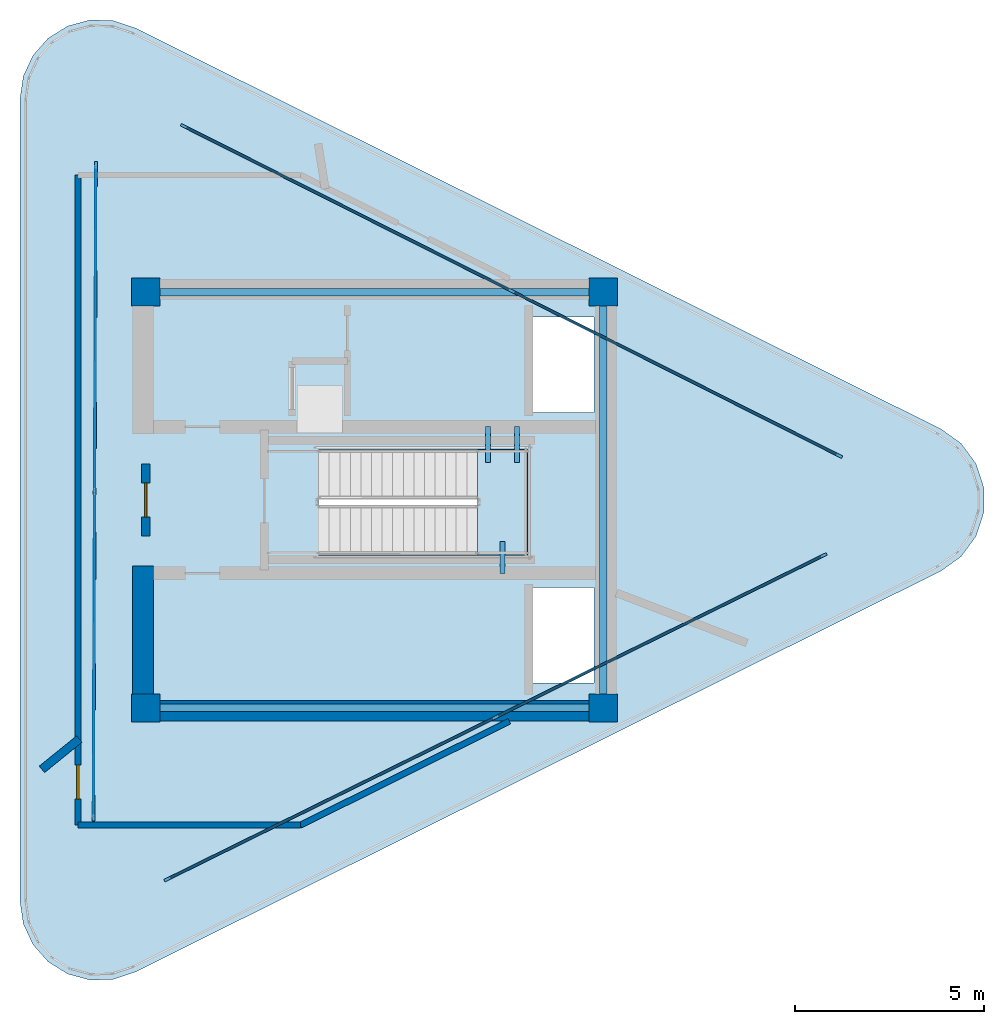
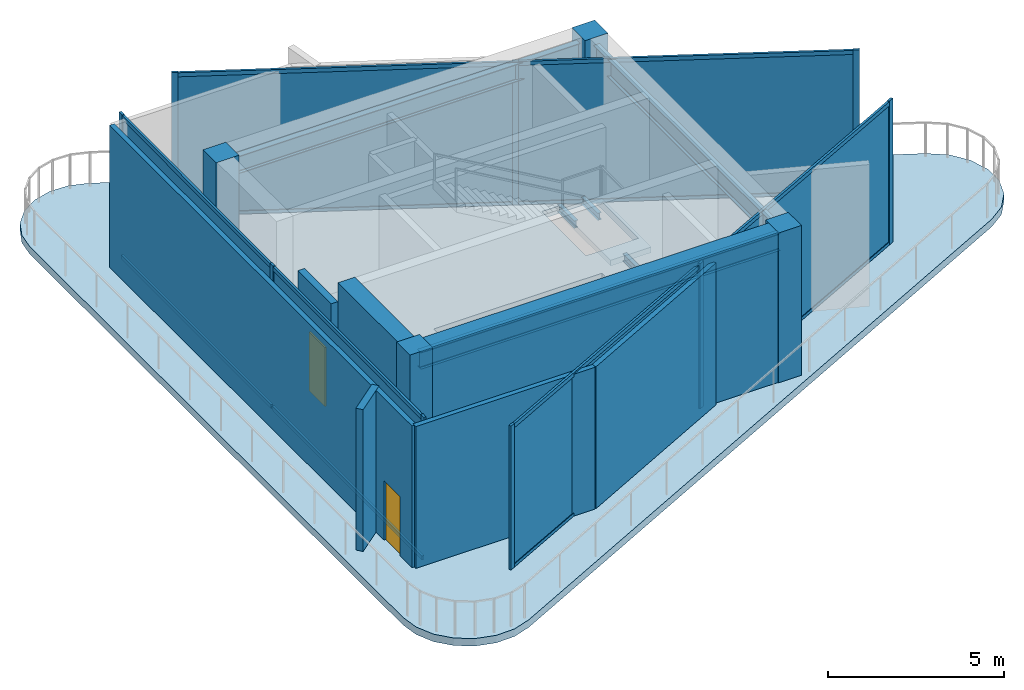
# One storey, part 1 of 5: 21 members, 7 walls, 6 beams, 6 plates, 4 columns, 2 doors, 2 slabs, 2 openings, 4 elements without a shape of their own.
"""IFC4 building model written with IfcOpenShell, lengths in metres."""

from ifc_helpers import new_model, si_unit, direction, frame, frame_2d, origin, origin_2d, place, context, subcontext, project, spatial, polyline, rectangle, i_section, outline, extrude, source, transform, mapped, material, layer, layer_set, material_profile, profile_set, type_object, element, fill, aggregate, save


model = new_model("IFC4")

# Units and contexts
model_context = context("Model", 3, precision=1e-05, world=origin(), true_north=direction((0.0, 1.0)))
body_context = subcontext(model_context, "Body", "Model", "MODEL_VIEW")
ifc_project = project(units=[si_unit("LENGTHUNIT", "METRE"), si_unit("AREAUNIT", "SQUARE_METRE"), si_unit("VOLUMEUNIT", "CUBIC_METRE"), si_unit("PLANEANGLEUNIT", "RADIAN"), si_unit("MASSUNIT", "GRAM", prefix="KILO")], contexts=[model_context])

# Site, building, storey
site_placement = place(None, origin())
site = spatial("IfcSite", under=ifc_project, at=site_placement, CompositionType="ELEMENT")
building_placement = place(site_placement, origin())
building = spatial("IfcBuilding", under=site, at=building_placement, Name="Yunling Apex Tower", CompositionType="ELEMENT")
storey_placement = place(building_placement, frame((0.0, 0.0, 328.25)))
storey = spatial("IfcBuildingStorey", under=building, at=storey_placement, Name="C03", CompositionType="ELEMENT", Elevation=328.25)

# Columns
ifc_material_1 = material(Name="Concrete C50", Category="concrete")
ifc_material_profile_1 = material_profile(ifc_material_1, rectangle(XDim=0.75, YDim=0.75, at=origin_2d()))
ifc_profile_set_1 = profile_set([ifc_material_profile_1], Name="Concrete C50")
column_type = type_object("IfcColumnType", Name="PC-SRC-4", PredefinedType="COLUMN", material=ifc_profile_set_1)
shared_shape_1 = source(origin(), body_context, "Body", "SweptSolid", [
    extrude(rectangle(XDim=0.75, YDim=0.75, at=origin_2d()), origin(), (0.0, 0.0, 1.0), 5.199951171875),
])
for number, where, z_axis, x_axis, name in (
    (1, (-6.050048828125, -5.5, 0.0), (0.0, 0.0, 1.0), (1.0, 0.0, 0.0), "C03 Core Spine Column CC-SW"),
    (2, (6.050048828125, -5.5, 0.0), (0.0, 0.0, 1.0), (1.0, 0.0, 0.0), "C03 Core Spine Column CC-SE"),
    (3, (6.050048828125, 5.5, 0.0), (0.0, 0.0, 1.0), (1.0, 0.0, 0.0), "C03 Core Spine Column CC-NE"),
    (4, (-6.050048828125, 5.5, 0.0), (0.0, 0.0, 1.0), (1.0, 0.0, 0.0), "C03 Core Spine Column CC-NW"),
):
    element("IfcColumn", number, at=place(storey_placement, frame(where, z_axis=z_axis, x_axis=x_axis)), inside=storey, type_object=column_type, Name=name, PredefinedType="COLUMN", context=body_context, shape_type="MappedRepresentation", body=[
        mapped(shared_shape_1, transform((0.0, 0.0, 0.0), scale=1.0)),
    ])

# Beams
ifc_material_2 = material(Name="Steel Q355B", Category="steel")
ifc_material_profile_2 = material_profile(ifc_material_2, i_section(OverallWidth=0.199951171875, OverallDepth=0.60009765625, WebThickness=0.010986328125, FlangeThickness=0.01708984375, FilletRadius=0.02197265625, at=origin_2d()))
ifc_profile_set_2 = profile_set([ifc_material_profile_2], Name="Steel Q355B")
beam_type_1 = type_object("IfcBeamType", Name="BG-PRI-5", PredefinedType="USERDEFINED", material=ifc_profile_set_2)
shared_shape_2 = source(origin(), body_context, "Body", "SweptSolid", [
    extrude(i_section(OverallWidth=0.199951171875, OverallDepth=0.60009765625, WebThickness=0.010986328125, FlangeThickness=0.01708984375, FilletRadius=0.02197265625, at=origin_2d()), origin(), (0.0, 0.0, 1.0), 11.7998046875),
])
for number, where, z_axis, x_axis, name in (
    (5, (-5.89990234375, -5.5, 4.639892578125), (1.0, 0.0, 0.0), (0.0, 1.0, 0.0), "C03 Core Ring Tie Beam 1"),
    (6, (5.89990234375, 5.5, 4.639892578125), (-1.0, 0.0, 0.0), (0.0, -1.0, 0.0), "C03 Core Ring Tie Beam 3"),
):
    element("IfcBeam", number, at=place(storey_placement, frame(where, z_axis=z_axis, x_axis=x_axis)), inside=storey, type_object=beam_type_1, Name=name, ObjectType="GIRDER", PredefinedType="USERDEFINED", context=body_context, shape_type="MappedRepresentation", body=[
        mapped(shared_shape_2, transform((0.0, 0.0, 0.0), scale=1.0)),
    ])
shared_shape_3 = source(origin(), body_context, "Body", "SweptSolid", [
    extrude(i_section(OverallWidth=0.199951171875, OverallDepth=0.60009765625, WebThickness=0.010986328125, FlangeThickness=0.01708984375, FilletRadius=0.02197265625, at=origin_2d()), origin(), (0.0, 0.0, 1.0), 10.7001953125),
])
beam_1_placement = place(storey_placement, frame((6.050048828125, -5.35009765625, 4.639892578125), z_axis=(0.0, 1.0, 0.0), x_axis=(-1.0, 0.0, 0.0)))
element("IfcBeam", 7, at=beam_1_placement, inside=storey, type_object=beam_type_1, Name="C03 Core Ring Tie Beam 2", ObjectType="GIRDER", PredefinedType="USERDEFINED", context=body_context, shape_type="MappedRepresentation", body=[
    mapped(shared_shape_3, transform((0.0, 0.0, 0.0), scale=1.0)),
])
ifc_material_profile_3 = material_profile(ifc_material_2, i_section(OverallWidth=0.125, OverallDepth=0.25, WebThickness=0.006103515625, FlangeThickness=0.009033203125, FilletRadius=0.011962890625, at=origin_2d()))
ifc_profile_set_3 = profile_set([ifc_material_profile_3], Name="Steel Q355B")
beam_type_2 = type_object("IfcBeamType", Name="BL-LNT-1", PredefinedType="LINTEL", material=ifc_profile_set_3)
shared_shape_4 = source(origin(), body_context, "Body", "SweptSolid", [
    extrude(i_section(OverallWidth=0.125, OverallDepth=0.25, WebThickness=0.006103515625, FlangeThickness=0.009033203125, FilletRadius=0.011962890625, at=origin_2d()), origin(), (0.0, 0.0, 1.0), 0.949951171875),
])
for number, where, z_axis, x_axis, name in (
    (8, (3.0, 1.93994140625, 2.280029296875), (0.0, -1.0, 0.0), (1.0, 0.0, 0.0), "C03 ST-C1 Landing Bearing Corbel 1-1"),
    (9, (3.77001953125, 1.93994140625, 2.280029296875), (0.0, -1.0, 0.0), (1.0, 0.0, 0.0), "C03 ST-C1 Landing Bearing Corbel 1-2"),
):
    element("IfcBeam", number, at=place(storey_placement, frame(where, z_axis=z_axis, x_axis=x_axis)), inside=storey, type_object=beam_type_2, Name=name, PredefinedType="LINTEL", context=body_context, shape_type="MappedRepresentation", body=[
        mapped(shared_shape_4, transform((0.0, 0.0, 0.0), scale=1.0)),
    ])
shared_shape_5 = source(origin(), body_context, "Body", "SweptSolid", [
    extrude(i_section(OverallWidth=0.125, OverallDepth=0.25, WebThickness=0.006103515625, FlangeThickness=0.009033203125, FilletRadius=0.011962890625, at=origin_2d()), origin(), (0.0, 0.0, 1.0), 0.83984375),
])
beam_2_placement = place(storey_placement, frame((3.385009765625, -1.93994140625, 2.280029296875), z_axis=(0.0, 1.0, 0.0), x_axis=(-1.0, 0.0, 0.0)))
element("IfcBeam", 10, at=beam_2_placement, inside=storey, type_object=beam_type_2, Name="C03 ST-C1 Landing Bearing Corbel 1-3", PredefinedType="LINTEL", context=body_context, shape_type="MappedRepresentation", body=[
    mapped(shared_shape_5, transform((0.0, 0.0, 0.0), scale=1.0)),
])

# Curtain wall, members
ifc_material_3 = material(Name="Bronze anodised aluminium", Category="aluminium")
ifc_layer_1 = layer(ifc_material_3, 0.179931640625)
ifc_layer_set_1 = layer_set([ifc_layer_1], Name="Bronze anodised aluminium")
curtain_wall_type = type_object("IfcCurtainWallType", Name="CW-SYS-6", PredefinedType="NOTDEFINED", material=ifc_layer_set_1)
curtain_wall_1_placement = place(storey_placement, origin())
curtain_wall_1 = element("IfcCurtainWall", 11, at=curtain_wall_1_placement, inside=storey, type_object=curtain_wall_type, Name="CW-C03-01", PredefinedType="NOTDEFINED")
ifc_material_profile_4 = material_profile(ifc_material_3, rectangle(XDim=0.074951171875, YDim=0.179931640625, at=origin_2d()))
ifc_profile_set_4 = profile_set([ifc_material_profile_4], Name="Bronze anodised aluminium")
member_type_1 = type_object("IfcMemberType", Name="CW-MUL-6", PredefinedType="MULLION", material=ifc_profile_set_4)
shared_shape_6 = source(origin(), body_context, "Body", "SweptSolid", [
    extrude(rectangle(XDim=0.074951171875, YDim=0.179931640625, at=origin_2d()), origin(), (0.0, 0.0, 1.0), 5.0400390625),
])
member_1_placement = place(storey_placement, frame((-7.434326171875, -8.402099609375, -0.050048828125), z_axis=(0.0, 0.0, 1.0), x_axis=(-0.999992753968, 0.003806837467, 0.0)))
member_1 = element("IfcMember", 12, at=member_1_placement, type_object=member_type_1, Name="CW-SYS-6 mullion 1", PredefinedType="MULLION", context=body_context, shape_type="MappedRepresentation", body=[
    mapped(shared_shape_6, transform((0.0, 0.0, 0.0), scale=1.0)),
])
member_2_placement = place(storey_placement, frame((-7.401611328125, 0.228759765625, -0.050048828125), z_axis=(0.0, 0.0, 1.0), x_axis=(-0.999992753968, 0.003806837467, 0.0)))
member_2 = element("IfcMember", 13, at=member_2_placement, type_object=member_type_1, Name="CW-SYS-6 mullion 2", PredefinedType="MULLION", context=body_context, shape_type="MappedRepresentation", body=[
    mapped(shared_shape_6, transform((0.0, 0.0, 0.0), scale=1.0)),
])
member_3_placement = place(storey_placement, frame((-7.36865234375, 8.85986328125, -0.050048828125), z_axis=(0.0, 0.0, 1.0), x_axis=(-0.999992753968, 0.003806837467, 0.0)))
member_3 = element("IfcMember", 14, at=member_3_placement, type_object=member_type_1, Name="CW-SYS-6 mullion 3", PredefinedType="MULLION", context=body_context, shape_type="MappedRepresentation", body=[
    mapped(shared_shape_6, transform((0.0, 0.0, 0.0), scale=1.0)),
])

curtain_wall_2_placement = place(storey_placement, origin())
curtain_wall_2 = element("IfcCurtainWall", 15, at=curtain_wall_2_placement, inside=storey, type_object=curtain_wall_type, Name="CW-C03-05", PredefinedType="NOTDEFINED")
member_4_placement = place(storey_placement, frame((-5.040771484375, 9.884765625, -0.050048828125), z_axis=(0.0, 0.0, 1.0), x_axis=(0.449184666393, 0.893438937744, 0.0)))
member_4 = element("IfcMember", 16, at=member_4_placement, type_object=member_type_1, Name="CW-SYS-6 mullion 1", PredefinedType="MULLION", context=body_context, shape_type="MappedRepresentation", body=[
    mapped(shared_shape_6, transform((0.0, 0.0, 0.0), scale=1.0)),
])
member_5_placement = place(storey_placement, frame((3.623779296875, 5.528564453125, -0.050048828125), z_axis=(0.0, 0.0, 1.0), x_axis=(0.449184666393, 0.893438937744, 0.0)))
member_5 = element("IfcMember", 17, at=member_5_placement, type_object=member_type_1, Name="CW-SYS-6 mullion 2", PredefinedType="MULLION", context=body_context, shape_type="MappedRepresentation", body=[
    mapped(shared_shape_6, transform((0.0, 0.0, 0.0), scale=1.0)),
])
member_6_placement = place(storey_placement, frame((12.28857421875, 1.17236328125, -0.050048828125), z_axis=(0.0, 0.0, 1.0), x_axis=(0.449184666393, 0.893438937744, 0.0)))
member_6 = element("IfcMember", 18, at=member_6_placement, type_object=member_type_1, Name="CW-SYS-6 mullion 3", PredefinedType="MULLION", context=body_context, shape_type="MappedRepresentation", body=[
    mapped(shared_shape_6, transform((0.0, 0.0, 0.0), scale=1.0)),
])

curtain_wall_3_placement = place(storey_placement, origin())
curtain_wall_3 = element("IfcCurtainWall", 19, at=curtain_wall_3_placement, inside=storey, type_object=curtain_wall_type, Name="CW-C03-09", PredefinedType="NOTDEFINED")
member_7_placement = place(storey_placement, frame((11.877685546875, -1.46435546875, -0.050048828125), z_axis=(0.0, 0.0, 1.0), x_axis=(0.442522082901, -0.896757607241, 0.0)))
member_7 = element("IfcMember", 20, at=member_7_placement, type_object=member_type_1, Name="CW-SYS-6 mullion 1", PredefinedType="MULLION", context=body_context, shape_type="MappedRepresentation", body=[
    mapped(shared_shape_6, transform((0.0, 0.0, 0.0), scale=1.0)),
])
member_8_placement = place(storey_placement, frame((3.198974609375, -5.7470703125, -0.050048828125), z_axis=(0.0, 0.0, 1.0), x_axis=(0.442522082901, -0.896757607241, 0.0)))
member_8 = element("IfcMember", 21, at=member_8_placement, type_object=member_type_1, Name="CW-SYS-6 mullion 2", PredefinedType="MULLION", context=body_context, shape_type="MappedRepresentation", body=[
    mapped(shared_shape_6, transform((0.0, 0.0, 0.0), scale=1.0)),
])
member_9_placement = place(storey_placement, frame((-5.479736328125, -10.02978515625, -0.050048828125), z_axis=(0.0, 0.0, 1.0), x_axis=(0.442522082901, -0.896757607241, 0.0)))
member_9 = element("IfcMember", 22, at=member_9_placement, type_object=member_type_1, Name="CW-SYS-6 mullion 3", PredefinedType="MULLION", context=body_context, shape_type="MappedRepresentation", body=[
    mapped(shared_shape_6, transform((0.0, 0.0, 0.0), scale=1.0)),
])

# Member
ifc_material_profile_5 = material_profile(ifc_material_3, rectangle(XDim=0.074951171875, YDim=0.139892578125, at=origin_2d()))
ifc_profile_set_5 = profile_set([ifc_material_profile_5], Name="Bronze anodised aluminium")
member_type_2 = type_object("IfcMemberType", Name="CW-TRN-6", PredefinedType="USERDEFINED", material=ifc_profile_set_5)
shared_shape_7 = source(origin(), body_context, "Body", "SweptSolid", [
    extrude(rectangle(XDim=0.074951171875, YDim=0.139892578125, at=origin_2d()), origin(), (0.0, 0.0, 1.0), 8.5634765625),
])
member_10_placement = place(storey_placement, frame((-7.434326171875, -8.368408203125, 0.03759765625), z_axis=(0.003820248095, 0.999992702826, 0.0), x_axis=(-0.999992702826, 0.003820248095, 0.0)))
member_10 = element("IfcMember", 23, at=member_10_placement, type_object=member_type_2, Name="CW-SYS-6 transom 1.1", ObjectType="TRANSOM", PredefinedType="USERDEFINED", context=body_context, shape_type="MappedRepresentation", body=[
    mapped(shared_shape_7, transform((0.0, 0.0, 0.0), scale=1.0)),
])

member_11_placement = place(storey_placement, frame((-7.434326171875, -8.368408203125, 4.902587890625), z_axis=(0.003820248095, 0.999992702826, 0.0), x_axis=(-0.999992702826, 0.003820248095, 0.0)))
member_11 = element("IfcMember", 24, at=member_11_placement, type_object=member_type_2, Name="CW-SYS-6 transom 1.2", ObjectType="TRANSOM", PredefinedType="USERDEFINED", context=body_context, shape_type="MappedRepresentation", body=[
    mapped(shared_shape_7, transform((0.0, 0.0, 0.0), scale=1.0)),
])

member_12_placement = place(storey_placement, frame((-7.4013671875, 0.2626953125, 0.03759765625), z_axis=(0.003820248095, 0.999992702826, 0.0), x_axis=(-0.999992702826, 0.003820248095, 0.0)))
member_12 = element("IfcMember", 25, at=member_12_placement, type_object=member_type_2, Name="CW-SYS-6 transom 2.1", ObjectType="TRANSOM", PredefinedType="USERDEFINED", context=body_context, shape_type="MappedRepresentation", body=[
    mapped(shared_shape_7, transform((0.0, 0.0, 0.0), scale=1.0)),
])

member_13_placement = place(storey_placement, frame((-7.4013671875, 0.2626953125, 4.902587890625), z_axis=(0.003820248095, 0.999992702826, 0.0), x_axis=(-0.999992702826, 0.003820248095, 0.0)))
member_13 = element("IfcMember", 26, at=member_13_placement, type_object=member_type_2, Name="CW-SYS-6 transom 2.2", ObjectType="TRANSOM", PredefinedType="USERDEFINED", context=body_context, shape_type="MappedRepresentation", body=[
    mapped(shared_shape_7, transform((0.0, 0.0, 0.0), scale=1.0)),
])

shared_shape_8 = source(origin(), body_context, "Body", "SweptSolid", [
    extrude(rectangle(XDim=0.074951171875, YDim=0.139892578125, at=origin_2d()), origin(), (0.0, 0.0, 1.0), 9.63037109375),
])
member_14_placement = place(storey_placement, frame((-5.010498046875, 9.869384765625, 0.03759765625), z_axis=(0.893446499906, -0.449169624758, 0.0), x_axis=(0.449169624758, 0.893446499906, 0.0)))
member_14 = element("IfcMember", 27, at=member_14_placement, type_object=member_type_2, Name="CW-SYS-6 transom 1.1", ObjectType="TRANSOM", PredefinedType="USERDEFINED", context=body_context, shape_type="MappedRepresentation", body=[
    mapped(shared_shape_8, transform((0.0, 0.0, 0.0), scale=1.0)),
])

member_15_placement = place(storey_placement, frame((-5.010498046875, 9.869384765625, 4.902587890625), z_axis=(0.893446499906, -0.449169624758, 0.0), x_axis=(0.449169624758, 0.893446499906, 0.0)))
member_15 = element("IfcMember", 28, at=member_15_placement, type_object=member_type_2, Name="CW-SYS-6 transom 1.2", ObjectType="TRANSOM", PredefinedType="USERDEFINED", context=body_context, shape_type="MappedRepresentation", body=[
    mapped(shared_shape_8, transform((0.0, 0.0, 0.0), scale=1.0)),
])

member_16_placement = place(storey_placement, frame((3.654052734375, 5.51318359375, 0.03759765625), z_axis=(0.893446499906, -0.449169624758, 0.0), x_axis=(0.449169624758, 0.893446499906, 0.0)))
member_16 = element("IfcMember", 29, at=member_16_placement, type_object=member_type_2, Name="CW-SYS-6 transom 2.1", ObjectType="TRANSOM", PredefinedType="USERDEFINED", context=body_context, shape_type="MappedRepresentation", body=[
    mapped(shared_shape_8, transform((0.0, 0.0, 0.0), scale=1.0)),
])

member_17_placement = place(storey_placement, frame((3.654052734375, 5.51318359375, 4.902587890625), z_axis=(0.893446499906, -0.449169624758, 0.0), x_axis=(0.449169624758, 0.893446499906, 0.0)))
member_17 = element("IfcMember", 30, at=member_17_placement, type_object=member_type_2, Name="CW-SYS-6 transom 2.2", ObjectType="TRANSOM", PredefinedType="USERDEFINED", context=body_context, shape_type="MappedRepresentation", body=[
    mapped(shared_shape_8, transform((0.0, 0.0, 0.0), scale=1.0)),
])

shared_shape_9 = source(origin(), body_context, "Body", "SweptSolid", [
    extrude(rectangle(XDim=0.074951171875, YDim=0.139892578125, at=origin_2d()), origin(), (0.0, 0.0, 1.0), 9.6103515625),
])
member_18_placement = place(storey_placement, frame((11.847412109375, -1.479248046875, 0.03759765625), z_axis=(-0.896752121307, -0.442533199807, 0.0), x_axis=(0.442533199807, -0.896752121307, 0.0)))
member_18 = element("IfcMember", 31, at=member_18_placement, type_object=member_type_2, Name="CW-SYS-6 transom 1.1", ObjectType="TRANSOM", PredefinedType="USERDEFINED", context=body_context, shape_type="MappedRepresentation", body=[
    mapped(shared_shape_9, transform((0.0, 0.0, 0.0), scale=1.0)),
])

member_19_placement = place(storey_placement, frame((11.847412109375, -1.479248046875, 4.902587890625), z_axis=(-0.896752121307, -0.442533199807, 0.0), x_axis=(0.442533199807, -0.896752121307, 0.0)))
member_19 = element("IfcMember", 32, at=member_19_placement, type_object=member_type_2, Name="CW-SYS-6 transom 1.2", ObjectType="TRANSOM", PredefinedType="USERDEFINED", context=body_context, shape_type="MappedRepresentation", body=[
    mapped(shared_shape_9, transform((0.0, 0.0, 0.0), scale=1.0)),
])

member_20_placement = place(storey_placement, frame((3.168701171875, -5.761962890625, 0.03759765625), z_axis=(-0.896762202475, -0.442512770677, 0.0), x_axis=(0.442512770677, -0.896762202475, 0.0)))
member_20 = element("IfcMember", 33, at=member_20_placement, type_object=member_type_2, Name="CW-SYS-6 transom 2.1", ObjectType="TRANSOM", PredefinedType="USERDEFINED", context=body_context, shape_type="MappedRepresentation", body=[
    mapped(shared_shape_9, transform((0.0, 0.0, 0.0), scale=1.0)),
])

member_21_placement = place(storey_placement, frame((3.168701171875, -5.761962890625, 4.902587890625), z_axis=(-0.896762202475, -0.442512770677, 0.0), x_axis=(0.442512770677, -0.896762202475, 0.0)))
member_21 = element("IfcMember", 34, at=member_21_placement, type_object=member_type_2, Name="CW-SYS-6 transom 2.2", ObjectType="TRANSOM", PredefinedType="USERDEFINED", context=body_context, shape_type="MappedRepresentation", body=[
    mapped(shared_shape_9, transform((0.0, 0.0, 0.0), scale=1.0)),
])

# Slab
ifc_material_4 = material(Name="Concrete C40", Category="concrete")
ifc_layer_2 = layer(ifc_material_4, 0.260009765625)
ifc_layer_set_2 = layer_set([ifc_layer_2], Name="Concrete C40")
slab_type_1 = type_object("IfcSlabType", Name="SL-CRN-1", PredefinedType="FLOOR", material=ifc_layer_set_2)
slab_1_placement = place(storey_placement, frame((0.0, 0.0, -0.260009765625)))
element("IfcSlab", 35, at=slab_1_placement, inside=storey, type_object=slab_type_1, Name="C03 Crown Plant & Maintenance Slab", PredefinedType="FLOOR", context=body_context, shape_type="SweptSolid", body=[
    extrude(outline(polyline([(-9.376220703125, -10.609130859375), (-9.288330078125, -11.210205078125), (-9.031982421875, -11.76123046875), (-8.628662109375, -12.2158203125), (-8.112060546875, -12.53564453125), (-7.525390625, -12.6943359375), (-6.918212890625, -12.67822265625), (-6.340576171875, -12.489013671875), (14.975341796875, -1.8798828125), (15.514404296875, -1.494873046875), (15.906982421875, -0.9609375), (16.11328125, -0.331298828125), (16.11328125, 0.331298828125), (15.906982421875, 0.9609375), (15.514404296875, 1.494873046875), (14.975341796875, 1.8798828125), (-6.340576171875, 12.489013671875), (-6.918212890625, 12.67822265625), (-7.525390625, 12.6943359375), (-8.112060546875, 12.53564453125), (-8.628662109375, 12.2158203125), (-9.031982421875, 11.76123046875), (-9.288330078125, 11.210205078125), (-9.376220703125, 10.609130859375), (-9.376220703125, -10.609130859375)]), holes=[polyline([(5.81005859375, -4.840087890625), (4.090087890625, -4.840087890625), (4.090087890625, -2.320068359375), (5.81005859375, -2.320068359375), (5.81005859375, -4.840087890625)]), polyline([(4.090087890625, 2.320068359375), (4.090087890625, 4.840087890625), (5.81005859375, 4.840087890625), (5.81005859375, 2.320068359375), (4.090087890625, 2.320068359375)]), polyline([(-1.47998046875, -1.449951171875), (-1.47998046875, 1.340087890625), (4.050048828125, 1.340087890625), (4.050048828125, -1.449951171875), (-1.47998046875, -1.449951171875)])]), origin(), (0.0, 0.0, 1.0), 0.260009765625),
])

# Stair, slab
stair_type = type_object("IfcStairType", Name="ST-CRN-1", PredefinedType="STRAIGHT_RUN_STAIR", material=ifc_material_4)
stair_placement = place(storey_placement, origin())
stair = element("IfcStair", 36, at=stair_placement, inside=storey, type_object=stair_type, Name="C03 Crown Maintenance Access Stair ST-C1", PredefinedType="HALF_TURN_STAIR")
ifc_layer_3 = layer(ifc_material_4, 0.195068359375)
ifc_layer_set_3 = layer_set([ifc_layer_3], Name="Concrete C40")
slab_type_2 = type_object("IfcSlabType", Name="SL-LND-1", PredefinedType="LANDING", material=ifc_layer_set_3)
slab_2_placement = place(storey_placement, frame((0.0, 0.0, 2.405029296875)))
slab_2 = element("IfcSlab", 37, at=slab_2_placement, type_object=slab_type_2, Name="ST-C1 landing 1", PredefinedType="LANDING", context=body_context, shape_type="SweptSolid", body=[
    extrude(outline(polyline([(2.719970703125, -1.449951171875), (4.050048828125, -1.449951171875), (4.050048828125, 1.340087890625), (2.719970703125, 1.340087890625), (2.719970703125, -1.449951171875)])), origin(), (0.0, 0.0, 1.0), 0.195068359375),
])
aggregate(stair, [slab_2])

# Plate
ifc_material_5 = material(Name="Bronze fritted laminated crown glass", Category="glass")
ifc_layer_4 = layer(ifc_material_5, 0.02587890625)
ifc_layer_set_4 = layer_set([ifc_layer_4], Name="Bronze fritted laminated crown glass")
plate_type = type_object("IfcPlateType", Name="CW-PNL-6", PredefinedType="CURTAIN_PANEL", material=ifc_layer_set_4)
shared_shape_10 = source(origin(), body_context, "Body", "SweptSolid", [
    extrude(rectangle(XDim=8.571533203125, YDim=0.02587890625, at=origin_2d()), origin(), (0.0, 0.0, 1.0), 4.805419921875),
])
plate_1_placement = place(storey_placement, frame((-7.41796875, -4.086669921875, 0.0673828125), z_axis=(0.0, 0.0, 1.0), x_axis=(0.003806837467, 0.999992753968, 0.0)))
plate_1 = element("IfcPlate", 38, at=plate_1_placement, type_object=plate_type, Name="CW-SYS-6 panel 1.1", PredefinedType="CURTAIN_PANEL", context=body_context, shape_type="MappedRepresentation", body=[
    mapped(shared_shape_10, transform((0.0, 0.0, 0.0), scale=1.0)),
])

plate_2_placement = place(storey_placement, frame((-7.385009765625, 4.54443359375, 0.0673828125), z_axis=(0.0, 0.0, 1.0), x_axis=(0.003806837467, 0.999992753968, 0.0)))
plate_2 = element("IfcPlate", 39, at=plate_2_placement, type_object=plate_type, Name="CW-SYS-6 panel 2.1", PredefinedType="CURTAIN_PANEL", context=body_context, shape_type="MappedRepresentation", body=[
    mapped(shared_shape_10, transform((0.0, 0.0, 0.0), scale=1.0)),
])

aggregate(curtain_wall_1, [member_1, member_2, member_3, member_10, member_11, plate_1, member_12, member_13, plate_2])

shared_shape_11 = source(origin(), body_context, "Body", "SweptSolid", [
    extrude(rectangle(XDim=9.638427734375, YDim=0.02587890625, at=origin_2d()), origin(), (0.0, 0.0, 1.0), 4.805419921875),
])
plate_3_placement = place(storey_placement, frame((-0.70849609375, 7.70654296875, 0.0673828125), z_axis=(0.0, 0.0, 1.0), x_axis=(0.893438937744, -0.449184666393, 0.0)))
plate_3 = element("IfcPlate", 40, at=plate_3_placement, type_object=plate_type, Name="CW-SYS-6 panel 1.1", PredefinedType="CURTAIN_PANEL", context=body_context, shape_type="MappedRepresentation", body=[
    mapped(shared_shape_11, transform((0.0, 0.0, 0.0), scale=1.0)),
])

plate_4_placement = place(storey_placement, frame((7.956298828125, 3.350341796875, 0.0673828125), z_axis=(0.0, 0.0, 1.0), x_axis=(0.893438937744, -0.449184666393, 0.0)))
plate_4 = element("IfcPlate", 41, at=plate_4_placement, type_object=plate_type, Name="CW-SYS-6 panel 2.1", PredefinedType="CURTAIN_PANEL", context=body_context, shape_type="MappedRepresentation", body=[
    mapped(shared_shape_11, transform((0.0, 0.0, 0.0), scale=1.0)),
])

aggregate(curtain_wall_2, [member_4, member_5, member_6, member_14, member_15, plate_3, member_16, member_17, plate_4])

shared_shape_12 = source(origin(), body_context, "Body", "SweptSolid", [
    extrude(rectangle(XDim=9.618408203125, YDim=0.02587890625, at=origin_2d()), origin(), (0.0, 0.0, 1.0), 4.805419921875),
])
plate_5_placement = place(storey_placement, frame((7.538330078125, -3.605712890625, 0.0673828125), z_axis=(0.0, 0.0, 1.0), x_axis=(-0.896757607241, -0.442522082901, 0.0)))
plate_5 = element("IfcPlate", 42, at=plate_5_placement, type_object=plate_type, Name="CW-SYS-6 panel 1.1", PredefinedType="CURTAIN_PANEL", context=body_context, shape_type="MappedRepresentation", body=[
    mapped(shared_shape_12, transform((0.0, 0.0, 0.0), scale=1.0)),
])

plate_6_placement = place(storey_placement, frame((-1.140380859375, -7.888427734375, 0.0673828125), z_axis=(0.0, 0.0, 1.0), x_axis=(-0.896757607241, -0.442522082901, 0.0)))
plate_6 = element("IfcPlate", 43, at=plate_6_placement, type_object=plate_type, Name="CW-SYS-6 panel 2.1", PredefinedType="CURTAIN_PANEL", context=body_context, shape_type="MappedRepresentation", body=[
    mapped(shared_shape_12, transform((0.0, 0.0, 0.0), scale=1.0)),
])

aggregate(curtain_wall_3, [member_7, member_8, member_9, member_18, member_19, plate_5, member_20, member_21, plate_6])

# Walls
ifc_layer_5 = layer(ifc_material_4, 0.550048828125)
ifc_layer_set_5 = layer_set([ifc_layer_5], Name="Concrete C40")
wall_type_1 = type_object("IfcWallType", Name="WL-COR-3", PredefinedType="SHEAR", material=ifc_layer_set_5)
wall_1_placement = place(storey_placement, frame((-6.39990234375, -5.574951171875, 0.0), z_axis=(0.0, 0.0, 1.0), x_axis=(1.0, 0.0, 0.0)))
element("IfcWall", 44, at=wall_1_placement, inside=storey, type_object=wall_type_1, Name="C03 South Core Shear Wall", PredefinedType="SHEAR", context=body_context, shape_type="SweptSolid", body=[
    extrude(rectangle(XDim=12.7998046875, YDim=0.550048828125, at=frame_2d((6.39990234375, 0.0))), origin(), (0.0, 0.0, 1.0), 5.199951171875),
])
wall_2_placement = place(storey_placement, frame((-6.125, -5.300048828125, 0.0), z_axis=(0.0, 0.0, 1.0), x_axis=(0.0, 1.0, 0.0)))
element("IfcWall", 45, at=wall_2_placement, inside=storey, type_object=wall_type_1, Name="C03 West-South Core Shear Wall", PredefinedType="SHEAR", context=body_context, shape_type="SweptSolid", body=[
    extrude(rectangle(XDim=3.550048828125, YDim=0.550048828125, at=frame_2d((1.77490234375, 0.0))), origin(), (0.0, 0.0, 1.0), 5.199951171875),
])

# Wall, opening, door
ifc_material_6 = material(Name="Gypsum board acoustic partition")
ifc_layer_6 = layer(ifc_material_6, 0.159912109375)
ifc_layer_set_6 = layer_set([ifc_layer_6], Name="Gypsum board acoustic partition")
wall_type_2 = type_object("IfcWallType", Name="WL-PRT-1", PredefinedType="PARTITIONING", material=ifc_layer_set_6)
wall_3_placement = place(storey_placement, frame((-7.84619140625, -8.60009765625, 0.0), z_axis=(0.0, 0.0, 1.0), x_axis=(0.0, 1.0, 0.0)))
wall_3 = element("IfcWall", 46, at=wall_3_placement, inside=storey, type_object=wall_type_2, Name="WL-C03-CPCR-01", PredefinedType="PARTITIONING", context=body_context, shape_type="SweptSolid", body=[
    extrude(rectangle(XDim=17.2001953125, YDim=0.159912109375, at=frame_2d((8.60009765625, 0.0))), origin(), (0.0, 0.0, 1.0), 4.919921875),
])
opening_1_placement = place(wall_3_placement, frame((0.68603515625, 0.0, 0.0)))
opening_1 = element("IfcOpeningElement", 47, at=opening_1_placement, cuts=wall_3, Name="Opening DR-SHF-1", PredefinedType="OPENING", context=body_context, shape_type="SweptSolid", body=[
    extrude(rectangle(XDim=0.89990234375, YDim=2.050048828125, at=frame_2d((0.449951171875, 1.02490234375))), frame((0.0, 0.08984375, 0.0), z_axis=(0.0, -1.0, 0.0), x_axis=(1.0, 0.0, 0.0)), (0.0, 0.0, 1.0), 0.179931640625),
])
door_type = type_object("IfcDoorType", Name="DR-SHF-1", OperationType="NOTDEFINED", PredefinedType="DOOR", material=ifc_material_2)
door_1_placement = place(opening_1_placement, origin())
door_1 = element("IfcDoor", 48, at=door_1_placement, inside=storey, type_object=door_type, Name="C03 Rooftop Centrifugal Chiller Plant Room Door", OperationType="SINGLE_SWING_RIGHT", OverallHeight=2.050048828125, OverallWidth=0.89990234375, PredefinedType="DOOR", context=body_context, shape_type="SweptSolid", body=[
    extrude(rectangle(XDim=0.89990234375, YDim=2.050048828125, at=frame_2d((0.449951171875, 1.02490234375))), frame((0.0, 0.02490234375, 0.0), z_axis=(0.0, -1.0, 0.0), x_axis=(1.0, 0.0, 0.0)), (0.0, 0.0, 1.0), 0.050048828125),
])
fill(opening_1, door_1)

# Walls
wall_4_placement = place(storey_placement, frame((3.56494140625, -5.85009765625, 0.0), z_axis=(0.0, 0.0, 1.0), x_axis=(-0.895248457737, -0.445567277658, 0.0)))
element("IfcWall", 49, at=wall_4_placement, inside=storey, type_object=wall_type_2, Name="WL-C03-CPCR-04", PredefinedType="PARTITIONING", context=body_context, shape_type="SweptSolid", body=[
    extrude(rectangle(XDim=6.171875, YDim=0.159912109375, at=frame_2d((3.0859375, 0.0))), origin(), (0.0, 0.0, 1.0), 4.919921875),
])
wall_5_placement = place(storey_placement, frame((-1.96044921875, -8.60009765625, 0.0), z_axis=(0.0, 0.0, 1.0), x_axis=(-1.0, 0.0, 0.0)))
element("IfcWall", 50, at=wall_5_placement, inside=storey, type_object=wall_type_2, Name="WL-C03-CPCR-05", PredefinedType="PARTITIONING", context=body_context, shape_type="SweptSolid", body=[
    extrude(rectangle(XDim=5.8857421875, YDim=0.159912109375, at=frame_2d((2.94287109375, 0.0))), origin(), (0.0, 0.0, 1.0), 4.919921875),
])

# Wall, opening, door
ifc_material_7 = material(Name="Autoclaved aerated concrete masonry", Category="masonry")
ifc_layer_7 = layer(ifc_material_7, 0.219970703125)
ifc_layer_set_7 = layer_set([ifc_layer_7], Name="Autoclaved aerated concrete masonry")
wall_type_3 = type_object("IfcWallType", Name="WL-SHF-1", PredefinedType="PLUMBINGWALL", material=ifc_layer_set_7)
wall_6_placement = place(storey_placement, frame((-6.050048828125, -0.949951171875, 0.0), z_axis=(0.0, 0.0, 1.0), x_axis=(0.0, 1.0, 0.0)))
wall_6 = element("IfcWall", 51, at=wall_6_placement, inside=storey, type_object=wall_type_3, Name="WL-COR-WPORT-C03", PredefinedType="PLUMBINGWALL", context=body_context, shape_type="SweptSolid", body=[
    extrude(rectangle(XDim=1.89990234375, YDim=0.219970703125, at=frame_2d((0.949951171875, 0.0))), origin(), (0.0, 0.0, 1.0), 3.89990234375),
])
opening_2_placement = place(wall_6_placement, frame((0.5, 0.0, 0.0)))
opening_2 = element("IfcOpeningElement", 52, at=opening_2_placement, cuts=wall_6, Name="Opening DR-SHF-1", PredefinedType="OPENING", context=body_context, shape_type="SweptSolid", body=[
    extrude(rectangle(XDim=0.89990234375, YDim=2.050048828125, at=frame_2d((0.449951171875, 1.02490234375))), frame((0.0, 0.1201171875, 0.0), z_axis=(0.0, -1.0, 0.0), x_axis=(1.0, 0.0, 0.0)), (0.0, 0.0, 1.0), 0.239990234375),
])
door_2_placement = place(opening_2_placement, origin())
door_2 = element("IfcDoor", 53, at=door_2_placement, inside=storey, type_object=door_type, Name="C03 Crown Lobby Door", OperationType="SINGLE_SWING_RIGHT", OverallHeight=2.050048828125, OverallWidth=0.89990234375, PredefinedType="DOOR", context=body_context, shape_type="SweptSolid", body=[
    extrude(rectangle(XDim=0.89990234375, YDim=2.050048828125, at=frame_2d((0.449951171875, 1.02490234375))), frame((0.0, 0.02490234375, 0.0), z_axis=(0.0, -1.0, 0.0), x_axis=(1.0, 0.0, 0.0)), (0.0, 0.0, 1.0), 0.050048828125),
])
fill(opening_2, door_2)

# Wall
wall_7_placement = place(storey_placement, frame((-7.806396484375, -6.3212890625, 0.0), z_axis=(0.0, 0.0, 1.0), x_axis=(-0.777115429098, -0.629358093504, 0.0)))
element("IfcWall", 54, at=wall_7_placement, inside=storey, type_object=wall_type_3, Name="WL-C03-CDIV-219", PredefinedType="PLUMBINGWALL", context=body_context, shape_type="SweptSolid", body=[
    extrude(rectangle(XDim=1.27392578125, YDim=0.219970703125, at=frame_2d((0.636962890625, 0.0))), origin(), (0.0, 0.0, 1.0), 4.919921875),
])

save(model, "model.ifc")
